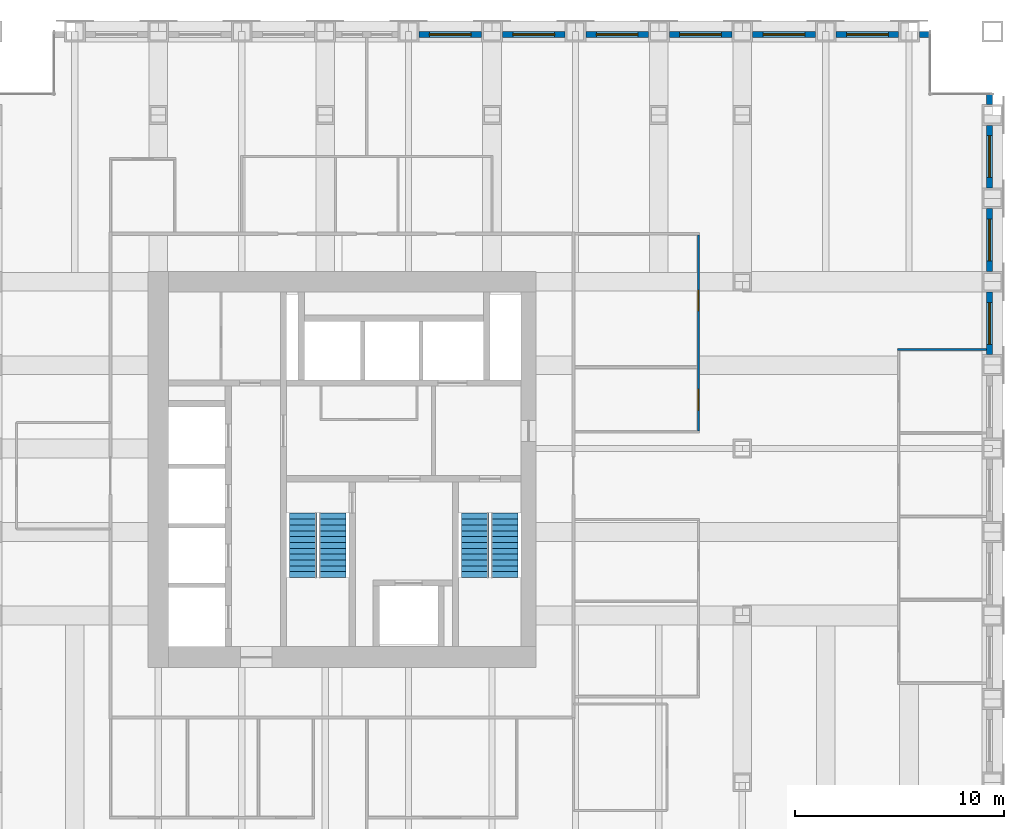
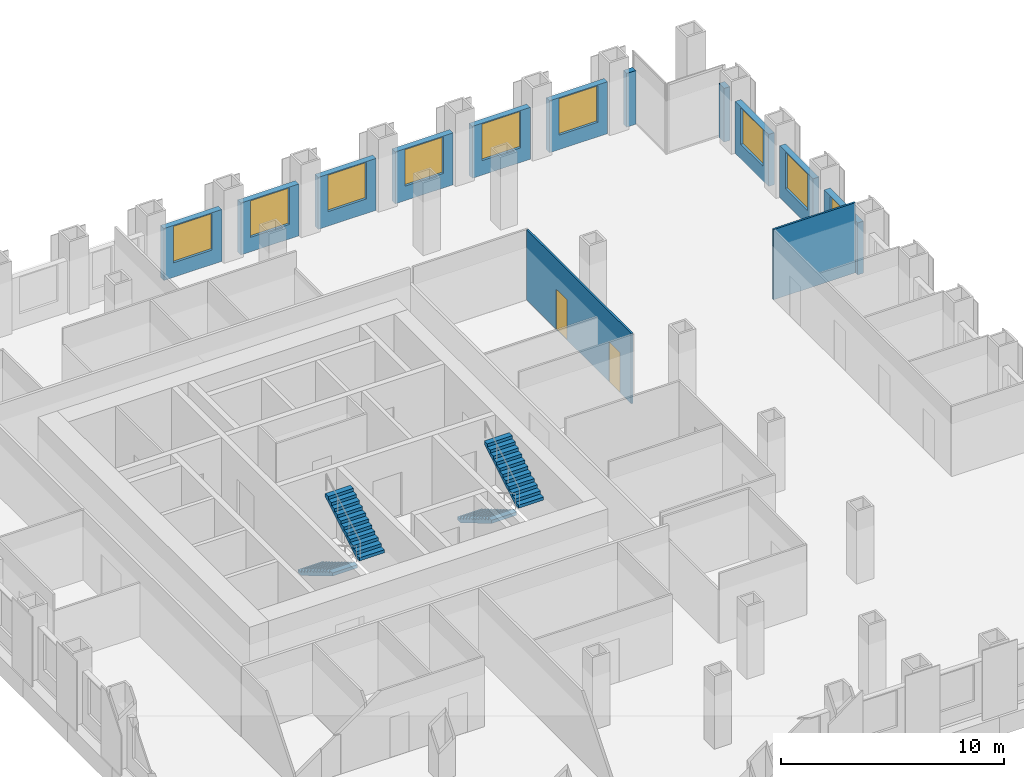
# One storey, part 14 of 16: 13 walls, 9 windows, 4 stair flights, 2 doors, 11 openings, 2 elements without a shape of their own.
"""IFC4 building model written with IfcOpenShell, lengths in metres."""

from ifc_helpers import new_model, si_unit, direction, frame, frame_2d, origin, place, context, subcontext, project, spatial, polyline, rectangle, outline, extrude, material, layer, layer_set, type_object, element, fill, aggregate, save


model = new_model("IFC4")

# Units and contexts
model_context = context("Model", 3, precision=1e-05, world=origin(), true_north=direction((0.0, 1.0)))
body_context = subcontext(model_context, "Body", "Model", "MODEL_VIEW")
ifc_project = project(units=[si_unit("LENGTHUNIT", "METRE"), si_unit("AREAUNIT", "SQUARE_METRE"), si_unit("VOLUMEUNIT", "CUBIC_METRE"), si_unit("PLANEANGLEUNIT", "RADIAN"), si_unit("MASSUNIT", "GRAM", prefix="KILO")], contexts=[model_context])

# Site, building, storey
site_placement = place(None, origin())
site = spatial("IfcSite", under=ifc_project, at=site_placement, CompositionType="ELEMENT")
building_placement = place(site_placement, origin())
building = spatial("IfcBuilding", under=site, at=building_placement, Name="Rimbunsela Tower", CompositionType="ELEMENT")
storey_placement = place(building_placement, frame((0.0, 0.0, 85.39990234375)))
storey = spatial("IfcBuildingStorey", under=building, at=storey_placement, Name="L20", CompositionType="ELEMENT", Elevation=85.39990234375)

# Wall
ifc_material_1 = material(Name="Gypsum board on steel studs", Category="steel")
ifc_layer_1 = layer(ifc_material_1, 0.10009765625)
ifc_layer_set_1 = layer_set([ifc_layer_1], Name="Office partition 100")
wall_type_1 = type_object("IfcWallType", Name="Office partition 100", PredefinedType="PARTITIONING", material=ifc_layer_set_1)
wall_1_placement = place(storey_placement, frame((53.449951171875, 32.75, 0.0), z_axis=(0.0, 0.0, 1.0), x_axis=(1.0, 0.0, 0.0)))
element("IfcWall", 1, at=wall_1_placement, inside=storey, type_object=wall_type_1, Name="Office partition", PredefinedType="PARTITIONING", context=body_context, shape_type="SweptSolid", body=[
    extrude(rectangle(XDim=4.25, YDim=0.10009765625, at=frame_2d((2.125, 0.0))), origin(), (0.0, 0.0, 1.0), 3.85009765625),
])

# Wall, openings, doors
wall_2_placement = place(storey_placement, frame((43.89990234375, 28.85009765625, 0.0), z_axis=(0.0, 0.0, 1.0), x_axis=(0.0, 1.0, 0.0)))
wall_2 = element("IfcWall", 2, at=wall_2_placement, inside=storey, type_object=wall_type_1, Name="Office partition", PredefinedType="PARTITIONING", context=body_context, shape_type="SweptSolid", body=[
    extrude(rectangle(XDim=9.39990234375, YDim=0.10009765625, at=frame_2d((4.699951171875, 0.0))), origin(), (0.0, 0.0, 1.0), 3.85009765625),
])
opening_1_placement = place(wall_2_placement, frame((1.0, 0.0, 0.0)))
opening_1 = element("IfcOpeningElement", 3, at=opening_1_placement, cuts=wall_2, Name="Opening D16", PredefinedType="OPENING", context=body_context, shape_type="SweptSolid", body=[
    extrude(rectangle(XDim=1.0, YDim=2.199951171875, at=frame_2d((0.5, 1.10009765625))), frame((0.0, 0.06005859375, 0.0), z_axis=(0.0, -1.0, 0.0), x_axis=(1.0, 0.0, 0.0)), (0.0, 0.0, 1.0), 0.1201171875),
])
opening_2_placement = place(wall_2_placement, frame((5.75, 0.0, 0.0)))
opening_2 = element("IfcOpeningElement", 4, at=opening_2_placement, cuts=wall_2, Name="Opening D17", PredefinedType="OPENING", context=body_context, shape_type="SweptSolid", body=[
    extrude(rectangle(XDim=1.0, YDim=2.199951171875, at=frame_2d((0.5, 1.10009765625))), frame((0.0, 0.06005859375, 0.0), z_axis=(0.0, -1.0, 0.0), x_axis=(1.0, 0.0, 0.0)), (0.0, 0.0, 1.0), 0.1201171875),
])
ifc_material_2 = material(Name="Glazed aluminium door", Category="aluminium")
door_type_1 = type_object("IfcDoorType", Name="Meeting room door 1000 glazed", OperationType="SINGLE_SWING_RIGHT", PredefinedType="DOOR", material=ifc_material_2)
door_1_placement = place(opening_2_placement, origin())
door_1 = element("IfcDoor", 5, at=door_1_placement, inside=storey, type_object=door_type_1, Name="Meeting room door", OperationType="SINGLE_SWING_RIGHT", OverallHeight=2.199951171875, OverallWidth=1.0, PredefinedType="DOOR", context=body_context, shape_type="SweptSolid", body=[
    extrude(rectangle(XDim=1.0, YDim=2.199951171875, at=frame_2d((0.5, 1.10009765625))), frame((0.0, 0.02490234375, 0.0), z_axis=(0.0, -1.0, 0.0), x_axis=(1.0, 0.0, 0.0)), (0.0, 0.0, 1.0), 0.050048828125),
])
fill(opening_2, door_1)
ifc_material_3 = material(Name="Timber door", Category="wood")
door_type_2 = type_object("IfcDoorType", Name="Office door 1000", OperationType="SINGLE_SWING_LEFT", PredefinedType="DOOR", material=ifc_material_3)
door_2_placement = place(opening_1_placement, origin())
door_2 = element("IfcDoor", 6, at=door_2_placement, inside=storey, type_object=door_type_2, Name="Office door", OperationType="SINGLE_SWING_LEFT", OverallHeight=2.199951171875, OverallWidth=1.0, PredefinedType="DOOR", context=body_context, shape_type="SweptSolid", body=[
    extrude(rectangle(XDim=1.0, YDim=2.199951171875, at=frame_2d((0.5, 1.10009765625))), frame((0.0, 0.02490234375, 0.0), z_axis=(0.0, -1.0, 0.0), x_axis=(1.0, 0.0, 0.0)), (0.0, 0.0, 1.0), 0.050048828125),
])
fill(opening_1, door_2)

# Wall, opening, window
ifc_material_4 = material(Name="Precast concrete fc' 35 MPa", Category="concrete")
ifc_layer_2 = layer(ifc_material_4, 0.300048828125)
ifc_layer_set_2 = layer_set([ifc_layer_2], Name="Precast concrete fc' 35 MPa")
wall_type_2 = type_object("IfcWallType", Name="Precast facade panel 300", PredefinedType="ELEMENTEDWALL", material=ifc_layer_set_2)
wall_3_placement = place(storey_placement, frame((57.85009765625, 32.5, 0.0), z_axis=(0.0, 0.0, 1.0), x_axis=(0.0, 1.0, 0.0)))
wall_3 = element("IfcWall", 7, at=wall_3_placement, inside=storey, type_object=wall_type_2, Name="Facade panel E L20", PredefinedType="ELEMENTEDWALL", context=body_context, shape_type="SweptSolid", body=[
    extrude(rectangle(XDim=3.0, YDim=0.300048828125, at=frame_2d((1.5, 0.0))), origin(), (0.0, 0.0, 1.0), 2.85009765625),
])
opening_3_placement = place(wall_3_placement, frame((0.5, 0.0, 0.800048828125)))
opening_3 = element("IfcOpeningElement", 8, at=opening_3_placement, cuts=wall_3, Name="Opening W1", PredefinedType="OPENING", context=body_context, shape_type="SweptSolid", body=[
    extrude(rectangle(XDim=2.0, YDim=2.0, at=frame_2d((1.0, 1.0))), frame((0.0, 0.159912109375, 0.0), z_axis=(0.0, -1.0, 0.0), x_axis=(1.0, 0.0, 0.0)), (0.0, 0.0, 1.0), 0.320068359375),
])
ifc_material_5 = material(Name="Clear glass in aluminium frame", Category="aluminium")
window_type = type_object("IfcWindowType", Name="Window W1 2000x2000", PartitioningType="DOUBLE_PANEL_VERTICAL", PredefinedType="WINDOW", material=ifc_material_5)
window_1_placement = place(opening_3_placement, origin())
window_1 = element("IfcWindow", 9, at=window_1_placement, inside=storey, type_object=window_type, Name="Window L20", OverallHeight=2.0, OverallWidth=2.0, PartitioningType="SINGLE_PANEL", PredefinedType="WINDOW", context=body_context, shape_type="SweptSolid", body=[
    extrude(rectangle(XDim=2.0, YDim=2.0, at=frame_2d((1.0, 1.0))), frame((0.0, 0.030029296875, 0.0), z_axis=(0.0, -1.0, 0.0), x_axis=(1.0, 0.0, 0.0)), (0.0, 0.0, 1.0), 0.06005859375),
])
fill(opening_3, window_1)

wall_4_placement = place(storey_placement, frame((57.85009765625, 36.5, 0.0), z_axis=(0.0, 0.0, 1.0), x_axis=(0.0, 1.0, 0.0)))
wall_4 = element("IfcWall", 10, at=wall_4_placement, inside=storey, type_object=wall_type_2, Name="Facade panel E L20", PredefinedType="ELEMENTEDWALL", context=body_context, shape_type="SweptSolid", body=[
    extrude(rectangle(XDim=3.0, YDim=0.300048828125, at=frame_2d((1.5, 0.0))), origin(), (0.0, 0.0, 1.0), 2.85009765625),
])
opening_4_placement = place(wall_4_placement, frame((0.5, 0.0, 0.800048828125)))
opening_4 = element("IfcOpeningElement", 11, at=opening_4_placement, cuts=wall_4, Name="Opening W1", PredefinedType="OPENING", context=body_context, shape_type="SweptSolid", body=[
    extrude(rectangle(XDim=2.0, YDim=2.0, at=frame_2d((1.0, 1.0))), frame((0.0, 0.159912109375, 0.0), z_axis=(0.0, -1.0, 0.0), x_axis=(1.0, 0.0, 0.0)), (0.0, 0.0, 1.0), 0.320068359375),
])
window_2_placement = place(opening_4_placement, origin())
window_2 = element("IfcWindow", 12, at=window_2_placement, inside=storey, type_object=window_type, Name="Window L20", OverallHeight=2.0, OverallWidth=2.0, PartitioningType="SINGLE_PANEL", PredefinedType="WINDOW", context=body_context, shape_type="SweptSolid", body=[
    extrude(rectangle(XDim=2.0, YDim=2.0, at=frame_2d((1.0, 1.0))), frame((0.0, 0.030029296875, 0.0), z_axis=(0.0, -1.0, 0.0), x_axis=(1.0, 0.0, 0.0)), (0.0, 0.0, 1.0), 0.06005859375),
])
fill(opening_4, window_2)

wall_5_placement = place(storey_placement, frame((57.85009765625, 40.5, 0.0), z_axis=(0.0, 0.0, 1.0), x_axis=(0.0, 1.0, 0.0)))
wall_5 = element("IfcWall", 13, at=wall_5_placement, inside=storey, type_object=wall_type_2, Name="Facade panel E L20", PredefinedType="ELEMENTEDWALL", context=body_context, shape_type="SweptSolid", body=[
    extrude(rectangle(XDim=3.0, YDim=0.300048828125, at=frame_2d((1.5, 0.0))), origin(), (0.0, 0.0, 1.0), 2.85009765625),
])
opening_5_placement = place(wall_5_placement, frame((0.5, 0.0, 0.800048828125)))
opening_5 = element("IfcOpeningElement", 14, at=opening_5_placement, cuts=wall_5, Name="Opening W1", PredefinedType="OPENING", context=body_context, shape_type="SweptSolid", body=[
    extrude(rectangle(XDim=2.0, YDim=2.0, at=frame_2d((1.0, 1.0))), frame((0.0, 0.159912109375, 0.0), z_axis=(0.0, -1.0, 0.0), x_axis=(1.0, 0.0, 0.0)), (0.0, 0.0, 1.0), 0.320068359375),
])
window_3_placement = place(opening_5_placement, origin())
window_3 = element("IfcWindow", 15, at=window_3_placement, inside=storey, type_object=window_type, Name="Window L20", OverallHeight=2.0, OverallWidth=2.0, PartitioningType="SINGLE_PANEL", PredefinedType="WINDOW", context=body_context, shape_type="SweptSolid", body=[
    extrude(rectangle(XDim=2.0, YDim=2.0, at=frame_2d((1.0, 1.0))), frame((0.0, 0.030029296875, 0.0), z_axis=(0.0, -1.0, 0.0), x_axis=(1.0, 0.0, 0.0)), (0.0, 0.0, 1.0), 0.06005859375),
])
fill(opening_5, window_3)

# Wall
wall_6_placement = place(storey_placement, frame((57.85009765625, 44.5, 0.0), z_axis=(0.0, 0.0, 1.0), x_axis=(0.0, 1.0, 0.0)))
element("IfcWall", 16, at=wall_6_placement, inside=storey, type_object=wall_type_2, Name="Facade panel E L20", PredefinedType="ELEMENTEDWALL", context=body_context, shape_type="SweptSolid", body=[
    extrude(rectangle(XDim=0.469970703125, YDim=0.300048828125, at=frame_2d((0.23486328125, 0.0))), origin(), (0.0, 0.0, 1.0), 2.9501953125),
])

# Wall, opening, window
wall_7_placement = place(storey_placement, frame((33.5, 47.85009765625, 0.0), z_axis=(0.0, 0.0, 1.0), x_axis=(-1.0, 0.0, 0.0)))
wall_7 = element("IfcWall", 17, at=wall_7_placement, inside=storey, type_object=wall_type_2, Name="Facade panel N L20", PredefinedType="ELEMENTEDWALL", context=body_context, shape_type="SweptSolid", body=[
    extrude(rectangle(XDim=3.0, YDim=0.300048828125, at=frame_2d((1.5, 0.0))), origin(), (0.0, 0.0, 1.0), 2.85009765625),
])
opening_6_placement = place(wall_7_placement, frame((0.5, 0.0, 0.800048828125)))
opening_6 = element("IfcOpeningElement", 18, at=opening_6_placement, cuts=wall_7, Name="Opening W1", PredefinedType="OPENING", context=body_context, shape_type="SweptSolid", body=[
    extrude(rectangle(XDim=2.0, YDim=2.0, at=frame_2d((1.0, 1.0))), frame((0.0, 0.159912109375, 0.0), z_axis=(0.0, -1.0, 0.0), x_axis=(1.0, 0.0, 0.0)), (0.0, 0.0, 1.0), 0.320068359375),
])
window_4_placement = place(opening_6_placement, origin())
window_4 = element("IfcWindow", 19, at=window_4_placement, inside=storey, type_object=window_type, Name="Window L20", OverallHeight=2.0, OverallWidth=2.0, PartitioningType="SINGLE_PANEL", PredefinedType="WINDOW", context=body_context, shape_type="SweptSolid", body=[
    extrude(rectangle(XDim=2.0, YDim=2.0, at=frame_2d((1.0, 1.0))), frame((0.0, 0.030029296875, 0.0), z_axis=(0.0, -1.0, 0.0), x_axis=(1.0, 0.0, 0.0)), (0.0, 0.0, 1.0), 0.06005859375),
])
fill(opening_6, window_4)

wall_8_placement = place(storey_placement, frame((37.5, 47.85009765625, 0.0), z_axis=(0.0, 0.0, 1.0), x_axis=(-1.0, 0.0, 0.0)))
wall_8 = element("IfcWall", 20, at=wall_8_placement, inside=storey, type_object=wall_type_2, Name="Facade panel N L20", PredefinedType="ELEMENTEDWALL", context=body_context, shape_type="SweptSolid", body=[
    extrude(rectangle(XDim=3.0, YDim=0.300048828125, at=frame_2d((1.5, 0.0))), origin(), (0.0, 0.0, 1.0), 2.85009765625),
])
opening_7_placement = place(wall_8_placement, frame((0.5, 0.0, 0.800048828125)))
opening_7 = element("IfcOpeningElement", 21, at=opening_7_placement, cuts=wall_8, Name="Opening W1", PredefinedType="OPENING", context=body_context, shape_type="SweptSolid", body=[
    extrude(rectangle(XDim=2.0, YDim=2.0, at=frame_2d((1.0, 1.0))), frame((0.0, 0.159912109375, 0.0), z_axis=(0.0, -1.0, 0.0), x_axis=(1.0, 0.0, 0.0)), (0.0, 0.0, 1.0), 0.320068359375),
])
window_5_placement = place(opening_7_placement, origin())
window_5 = element("IfcWindow", 22, at=window_5_placement, inside=storey, type_object=window_type, Name="Window L20", OverallHeight=2.0, OverallWidth=2.0, PartitioningType="SINGLE_PANEL", PredefinedType="WINDOW", context=body_context, shape_type="SweptSolid", body=[
    extrude(rectangle(XDim=2.0, YDim=2.0, at=frame_2d((1.0, 1.0))), frame((0.0, 0.030029296875, 0.0), z_axis=(0.0, -1.0, 0.0), x_axis=(1.0, 0.0, 0.0)), (0.0, 0.0, 1.0), 0.06005859375),
])
fill(opening_7, window_5)

wall_9_placement = place(storey_placement, frame((41.5, 47.85009765625, 0.0), z_axis=(0.0, 0.0, 1.0), x_axis=(-1.0, 0.0, 0.0)))
wall_9 = element("IfcWall", 23, at=wall_9_placement, inside=storey, type_object=wall_type_2, Name="Facade panel N L20", PredefinedType="ELEMENTEDWALL", context=body_context, shape_type="SweptSolid", body=[
    extrude(rectangle(XDim=3.0, YDim=0.300048828125, at=frame_2d((1.5, 0.0))), origin(), (0.0, 0.0, 1.0), 2.85009765625),
])
opening_8_placement = place(wall_9_placement, frame((0.5, 0.0, 0.800048828125)))
opening_8 = element("IfcOpeningElement", 24, at=opening_8_placement, cuts=wall_9, Name="Opening W1", PredefinedType="OPENING", context=body_context, shape_type="SweptSolid", body=[
    extrude(rectangle(XDim=2.0, YDim=2.0, at=frame_2d((1.0, 1.0))), frame((0.0, 0.159912109375, 0.0), z_axis=(0.0, -1.0, 0.0), x_axis=(1.0, 0.0, 0.0)), (0.0, 0.0, 1.0), 0.320068359375),
])
window_6_placement = place(opening_8_placement, origin())
window_6 = element("IfcWindow", 25, at=window_6_placement, inside=storey, type_object=window_type, Name="Window L20", OverallHeight=2.0, OverallWidth=2.0, PartitioningType="SINGLE_PANEL", PredefinedType="WINDOW", context=body_context, shape_type="SweptSolid", body=[
    extrude(rectangle(XDim=2.0, YDim=2.0, at=frame_2d((1.0, 1.0))), frame((0.0, 0.030029296875, 0.0), z_axis=(0.0, -1.0, 0.0), x_axis=(1.0, 0.0, 0.0)), (0.0, 0.0, 1.0), 0.06005859375),
])
fill(opening_8, window_6)

wall_10_placement = place(storey_placement, frame((45.5, 47.85009765625, 0.0), z_axis=(0.0, 0.0, 1.0), x_axis=(-1.0, 0.0, 0.0)))
wall_10 = element("IfcWall", 26, at=wall_10_placement, inside=storey, type_object=wall_type_2, Name="Facade panel N L20", PredefinedType="ELEMENTEDWALL", context=body_context, shape_type="SweptSolid", body=[
    extrude(rectangle(XDim=3.0, YDim=0.300048828125, at=frame_2d((1.5, 0.0))), origin(), (0.0, 0.0, 1.0), 2.85009765625),
])
opening_9_placement = place(wall_10_placement, frame((0.5, 0.0, 0.800048828125)))
opening_9 = element("IfcOpeningElement", 27, at=opening_9_placement, cuts=wall_10, Name="Opening W1", PredefinedType="OPENING", context=body_context, shape_type="SweptSolid", body=[
    extrude(rectangle(XDim=2.0, YDim=2.0, at=frame_2d((1.0, 1.0))), frame((0.0, 0.159912109375, 0.0), z_axis=(0.0, -1.0, 0.0), x_axis=(1.0, 0.0, 0.0)), (0.0, 0.0, 1.0), 0.320068359375),
])
window_7_placement = place(opening_9_placement, origin())
window_7 = element("IfcWindow", 28, at=window_7_placement, inside=storey, type_object=window_type, Name="Window L20", OverallHeight=2.0, OverallWidth=2.0, PartitioningType="SINGLE_PANEL", PredefinedType="WINDOW", context=body_context, shape_type="SweptSolid", body=[
    extrude(rectangle(XDim=2.0, YDim=2.0, at=frame_2d((1.0, 1.0))), frame((0.0, 0.030029296875, 0.0), z_axis=(0.0, -1.0, 0.0), x_axis=(1.0, 0.0, 0.0)), (0.0, 0.0, 1.0), 0.06005859375),
])
fill(opening_9, window_7)

wall_11_placement = place(storey_placement, frame((49.5, 47.85009765625, 0.0), z_axis=(0.0, 0.0, 1.0), x_axis=(-1.0, 0.0, 0.0)))
wall_11 = element("IfcWall", 29, at=wall_11_placement, inside=storey, type_object=wall_type_2, Name="Facade panel N L20", PredefinedType="ELEMENTEDWALL", context=body_context, shape_type="SweptSolid", body=[
    extrude(rectangle(XDim=3.0, YDim=0.300048828125, at=frame_2d((1.5, 0.0))), origin(), (0.0, 0.0, 1.0), 2.85009765625),
])
opening_10_placement = place(wall_11_placement, frame((0.5, 0.0, 0.800048828125)))
opening_10 = element("IfcOpeningElement", 30, at=opening_10_placement, cuts=wall_11, Name="Opening W1", PredefinedType="OPENING", context=body_context, shape_type="SweptSolid", body=[
    extrude(rectangle(XDim=2.0, YDim=2.0, at=frame_2d((1.0, 1.0))), frame((0.0, 0.159912109375, 0.0), z_axis=(0.0, -1.0, 0.0), x_axis=(1.0, 0.0, 0.0)), (0.0, 0.0, 1.0), 0.320068359375),
])
window_8_placement = place(opening_10_placement, origin())
window_8 = element("IfcWindow", 31, at=window_8_placement, inside=storey, type_object=window_type, Name="Window L20", OverallHeight=2.0, OverallWidth=2.0, PartitioningType="SINGLE_PANEL", PredefinedType="WINDOW", context=body_context, shape_type="SweptSolid", body=[
    extrude(rectangle(XDim=2.0, YDim=2.0, at=frame_2d((1.0, 1.0))), frame((0.0, 0.030029296875, 0.0), z_axis=(0.0, -1.0, 0.0), x_axis=(1.0, 0.0, 0.0)), (0.0, 0.0, 1.0), 0.06005859375),
])
fill(opening_10, window_8)

wall_12_placement = place(storey_placement, frame((53.5, 47.85009765625, 0.0), z_axis=(0.0, 0.0, 1.0), x_axis=(-1.0, 0.0, 0.0)))
wall_12 = element("IfcWall", 32, at=wall_12_placement, inside=storey, type_object=wall_type_2, Name="Facade panel N L20", PredefinedType="ELEMENTEDWALL", context=body_context, shape_type="SweptSolid", body=[
    extrude(rectangle(XDim=3.0, YDim=0.300048828125, at=frame_2d((1.5, 0.0))), origin(), (0.0, 0.0, 1.0), 2.85009765625),
])
opening_11_placement = place(wall_12_placement, frame((0.5, 0.0, 0.800048828125)))
opening_11 = element("IfcOpeningElement", 33, at=opening_11_placement, cuts=wall_12, Name="Opening W1", PredefinedType="OPENING", context=body_context, shape_type="SweptSolid", body=[
    extrude(rectangle(XDim=2.0, YDim=2.0, at=frame_2d((1.0, 1.0))), frame((0.0, 0.159912109375, 0.0), z_axis=(0.0, -1.0, 0.0), x_axis=(1.0, 0.0, 0.0)), (0.0, 0.0, 1.0), 0.320068359375),
])
window_9_placement = place(opening_11_placement, origin())
window_9 = element("IfcWindow", 34, at=window_9_placement, inside=storey, type_object=window_type, Name="Window L20", OverallHeight=2.0, OverallWidth=2.0, PartitioningType="SINGLE_PANEL", PredefinedType="WINDOW", context=body_context, shape_type="SweptSolid", body=[
    extrude(rectangle(XDim=2.0, YDim=2.0, at=frame_2d((1.0, 1.0))), frame((0.0, 0.030029296875, 0.0), z_axis=(0.0, -1.0, 0.0), x_axis=(1.0, 0.0, 0.0)), (0.0, 0.0, 1.0), 0.06005859375),
])
fill(opening_11, window_9)

# Wall
wall_13_placement = place(storey_placement, frame((54.969970703125, 47.85009765625, 0.0), z_axis=(0.0, 0.0, 1.0), x_axis=(-1.0, 0.0, 0.0)))
element("IfcWall", 35, at=wall_13_placement, inside=storey, type_object=wall_type_2, Name="Facade panel N L20", PredefinedType="ELEMENTEDWALL", context=body_context, shape_type="SweptSolid", body=[
    extrude(rectangle(XDim=0.469970703125, YDim=0.300048828125, at=frame_2d((0.23486328125, 0.0))), origin(), (0.0, 0.0, 1.0), 2.9501953125),
])

# Stair, stair flights
ifc_material_6 = material(Name="Concrete fc' 35 MPa", Category="concrete")
stair_type = type_object("IfcStairType", Name="Exit stair 24 risers", PredefinedType="HALF_TURN_STAIR", material=ifc_material_6)
stair_1_placement = place(storey_placement, origin())
stair_1 = element("IfcStair", 36, at=stair_1_placement, inside=storey, type_object=stair_type, Name="Exit stair A L20", PredefinedType="HALF_TURN_STAIR")
ifc_material_7 = material(Name="Concrete fc' 35 MPa", Category="concrete")
stair_flight_type = type_object("IfcStairFlightType", Name="Stair flight 12 risers 167", PredefinedType="STRAIGHT", material=ifc_material_7)
stair_flight_1_placement = place(storey_placement, frame((24.949951171875, 24.89990234375, 0.0), z_axis=(0.0, 0.0, 1.0), x_axis=(0.0, -1.0, 0.0)))
stair_flight_1 = element("IfcStairFlight", 37, at=stair_flight_1_placement, type_object=stair_flight_type, Name="ST-A flight 1", NumberOfRisers=12, NumberOfTreads=11, PredefinedType="STRAIGHT", RiserHeight=0.166666667, TreadLength=0.28, context=body_context, shape_type="SweptSolid", body=[
    extrude(outline(polyline([(0.0, 0.0), (0.0, 0.166748046875), (0.280029296875, 0.166748046875), (0.280029296875, 0.333251953125), (0.56005859375, 0.333251953125), (0.56005859375, 0.5), (0.840087890625, 0.5), (0.840087890625, 0.666748046875), (1.1201171875, 0.666748046875), (1.1201171875, 0.833251953125), (1.39990234375, 0.833251953125), (1.39990234375, 1.0), (1.679931640625, 1.0), (1.679931640625, 1.166748046875), (1.9599609375, 1.166748046875), (1.9599609375, 1.333251953125), (2.239990234375, 1.333251953125), (2.239990234375, 1.5), (2.52001953125, 1.5), (2.52001953125, 1.666748046875), (2.800048828125, 1.666748046875), (2.800048828125, 1.833251953125), (3.080078125, 1.833251953125), (3.080078125, 2.0), (3.080078125, 1.658935546875), (0.29296875, 0.0), (0.0, 0.0)])), frame((0.0, 0.64990234375, 0.0), z_axis=(0.0, -1.0, 0.0), x_axis=(1.0, 0.0, 0.0)), (0.0, 0.0, 1.0), 1.300048828125),
])
stair_flight_2_placement = place(storey_placement, frame((26.35009765625, 21.820068359375, 2.0), z_axis=(0.0, 0.0, 1.0), x_axis=(0.0, 1.0, 0.0)))
stair_flight_2 = element("IfcStairFlight", 38, at=stair_flight_2_placement, type_object=stair_flight_type, Name="ST-A flight 2", NumberOfRisers=12, NumberOfTreads=11, PredefinedType="STRAIGHT", RiserHeight=0.166666667, TreadLength=0.28, context=body_context, shape_type="SweptSolid", body=[
    extrude(outline(polyline([(0.0, 0.0), (0.0, 0.166748046875), (0.280029296875, 0.166748046875), (0.280029296875, 0.333251953125), (0.56005859375, 0.333251953125), (0.56005859375, 0.5), (0.840087890625, 0.5), (0.840087890625, 0.666748046875), (1.1201171875, 0.666748046875), (1.1201171875, 0.833251953125), (1.39990234375, 0.833251953125), (1.39990234375, 1.0), (1.679931640625, 1.0), (1.679931640625, 1.166748046875), (1.9599609375, 1.166748046875), (1.9599609375, 1.333251953125), (2.239990234375, 1.333251953125), (2.239990234375, 1.5), (2.52001953125, 1.5), (2.52001953125, 1.666748046875), (2.800048828125, 1.666748046875), (2.800048828125, 1.833251953125), (3.080078125, 1.833251953125), (3.080078125, 2.0), (3.080078125, 1.658935546875), (0.29296875, 0.0), (0.0, 0.0)])), frame((0.0, 0.64990234375, 0.0), z_axis=(0.0, -1.0, 0.0), x_axis=(1.0, 0.0, 0.0)), (0.0, 0.0, 1.0), 1.300048828125),
])
aggregate(stair_1, [stair_flight_1, stair_flight_2])

stair_2_placement = place(storey_placement, origin())
stair_2 = element("IfcStair", 39, at=stair_2_placement, inside=storey, type_object=stair_type, Name="Exit stair B L20", PredefinedType="HALF_TURN_STAIR")
stair_flight_3_placement = place(storey_placement, frame((33.199951171875, 24.89990234375, 0.0), z_axis=(0.0, 0.0, 1.0), x_axis=(0.0, -1.0, 0.0)))
stair_flight_3 = element("IfcStairFlight", 40, at=stair_flight_3_placement, type_object=stair_flight_type, Name="ST-B flight 1", NumberOfRisers=12, NumberOfTreads=11, PredefinedType="STRAIGHT", RiserHeight=0.166666667, TreadLength=0.28, context=body_context, shape_type="SweptSolid", body=[
    extrude(outline(polyline([(0.0, 0.0), (0.0, 0.166748046875), (0.280029296875, 0.166748046875), (0.280029296875, 0.333251953125), (0.56005859375, 0.333251953125), (0.56005859375, 0.5), (0.840087890625, 0.5), (0.840087890625, 0.666748046875), (1.1201171875, 0.666748046875), (1.1201171875, 0.833251953125), (1.39990234375, 0.833251953125), (1.39990234375, 1.0), (1.679931640625, 1.0), (1.679931640625, 1.166748046875), (1.9599609375, 1.166748046875), (1.9599609375, 1.333251953125), (2.239990234375, 1.333251953125), (2.239990234375, 1.5), (2.52001953125, 1.5), (2.52001953125, 1.666748046875), (2.800048828125, 1.666748046875), (2.800048828125, 1.833251953125), (3.080078125, 1.833251953125), (3.080078125, 2.0), (3.080078125, 1.658935546875), (0.29296875, 0.0), (0.0, 0.0)])), frame((0.0, 0.64990234375, 0.0), z_axis=(0.0, -1.0, 0.0), x_axis=(1.0, 0.0, 0.0)), (0.0, 0.0, 1.0), 1.300048828125),
])
stair_flight_4_placement = place(storey_placement, frame((34.60009765625, 21.820068359375, 2.0), z_axis=(0.0, 0.0, 1.0), x_axis=(0.0, 1.0, 0.0)))
stair_flight_4 = element("IfcStairFlight", 41, at=stair_flight_4_placement, type_object=stair_flight_type, Name="ST-B flight 2", NumberOfRisers=12, NumberOfTreads=11, PredefinedType="STRAIGHT", RiserHeight=0.166666667, TreadLength=0.28, context=body_context, shape_type="SweptSolid", body=[
    extrude(outline(polyline([(0.0, 0.0), (0.0, 0.166748046875), (0.280029296875, 0.166748046875), (0.280029296875, 0.333251953125), (0.56005859375, 0.333251953125), (0.56005859375, 0.5), (0.840087890625, 0.5), (0.840087890625, 0.666748046875), (1.1201171875, 0.666748046875), (1.1201171875, 0.833251953125), (1.39990234375, 0.833251953125), (1.39990234375, 1.0), (1.679931640625, 1.0), (1.679931640625, 1.166748046875), (1.9599609375, 1.166748046875), (1.9599609375, 1.333251953125), (2.239990234375, 1.333251953125), (2.239990234375, 1.5), (2.52001953125, 1.5), (2.52001953125, 1.666748046875), (2.800048828125, 1.666748046875), (2.800048828125, 1.833251953125), (3.080078125, 1.833251953125), (3.080078125, 2.0), (3.080078125, 1.658935546875), (0.29296875, 0.0), (0.0, 0.0)])), frame((0.0, 0.64990234375, 0.0), z_axis=(0.0, -1.0, 0.0), x_axis=(1.0, 0.0, 0.0)), (0.0, 0.0, 1.0), 1.300048828125),
])
aggregate(stair_2, [stair_flight_3, stair_flight_4])

save(model, "model.ifc")
